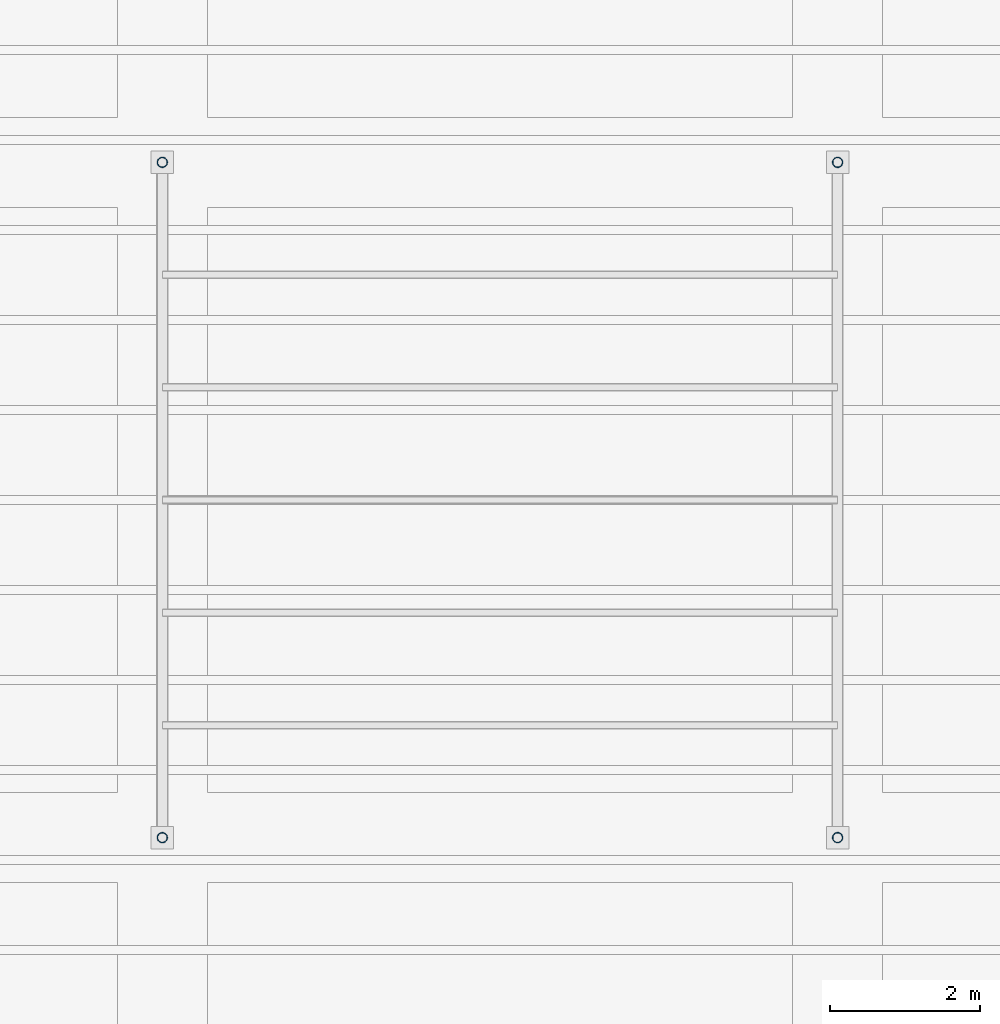
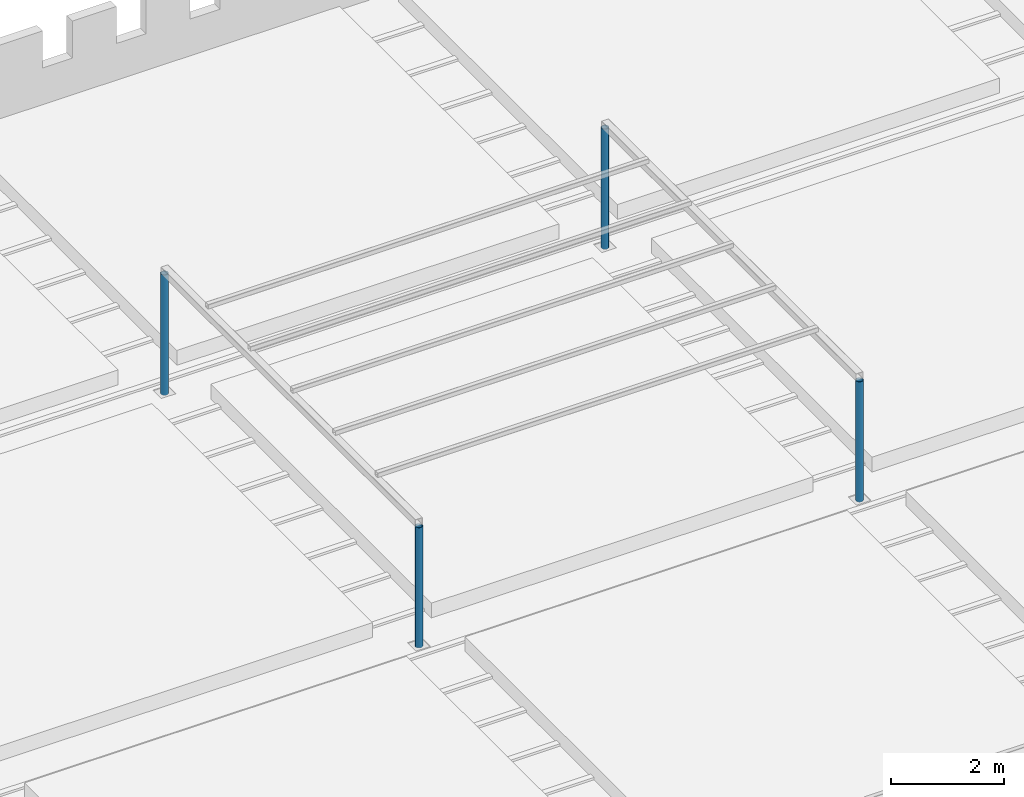
# One storey, part 14 of 153: 4 columns.
"""IFC4 building model written with IfcOpenShell, lengths in metres."""

from ifc_helpers import new_model, si_unit, direction, frame, origin, origin_2d, place, context, subcontext, project, spatial, hollow_circle, extrude, material, material_profile, profile_set, type_object, element, save


model = new_model("IFC4")

# Units and contexts
model_context = context("Model", 3, precision=1e-05, world=origin(), true_north=direction((0.0, 1.0)))
body_context = subcontext(model_context, "Body", "Model", "MODEL_VIEW")
ifc_project = project(units=[si_unit("LENGTHUNIT", "METRE"), si_unit("AREAUNIT", "SQUARE_METRE"), si_unit("VOLUMEUNIT", "CUBIC_METRE"), si_unit("PLANEANGLEUNIT", "RADIAN"), si_unit("MASSUNIT", "GRAM", prefix="KILO")], contexts=[model_context])

# Site, building, storey
site_placement = place(None, origin())
site = spatial("IfcSite", under=ifc_project, at=site_placement, CompositionType="ELEMENT")
building_placement = place(site_placement, origin())
building = spatial("IfcBuilding", under=site, at=building_placement, Name="Baradari Gate Terminus", CompositionType="ELEMENT")
storey_placement = place(building_placement, frame((0.0, 0.0, 11.699951171875)))
storey = spatial("IfcBuildingStorey", under=building, at=storey_placement, Name="L02", CompositionType="ELEMENT", Elevation=11.699951171875)

# Columns
ifc_material = material(Name="Steel S355", Category="steel")
ifc_material_profile = material_profile(ifc_material, hollow_circle(Radius=0.06982421875, WallThickness=0.008056640625, at=origin_2d()), Name="CHS 139.7x8")
ifc_profile_set = profile_set([ifc_material_profile], Name="Steel S355")
column_type = type_object("IfcColumnType", Name="Pergola post CHS 139.7x8", PredefinedType="COLUMN", material=ifc_profile_set)
for number, where, z_axis, x_axis, name in (
    (1, (189.0, 90.0, 0.0), (0.0, 0.0, 1.0), (1.0, 0.0, 0.0), "RF/L02/PGE1-PGC1"),
    (2, (198.0, 90.0, 0.0), (0.0, 0.0, 1.0), (1.0, 0.0, 0.0), "RF/L02/PGE1-PGC2"),
    (3, (198.0, 99.0, 0.0), (0.0, 0.0, 1.0), (1.0, 0.0, 0.0), "RF/L02/PGE1-PGC3"),
    (4, (189.0, 99.0, 0.0), (0.0, 0.0, 1.0), (1.0, 0.0, 0.0), "RF/L02/PGE1-PGC4"),
):
    element("IfcColumn", number, at=place(storey_placement, frame(where, z_axis=z_axis, x_axis=x_axis)), inside=storey, type_object=column_type, Name=name, PredefinedType="COLUMN", context=body_context, shape_type="SweptSolid", body=[
        extrude(hollow_circle(Radius=0.06982421875, WallThickness=0.008056640625, at=origin_2d()), origin(), (0.0, 0.0, 1.0), 2.60009765625),
    ])

save(model, "model.ifc")
